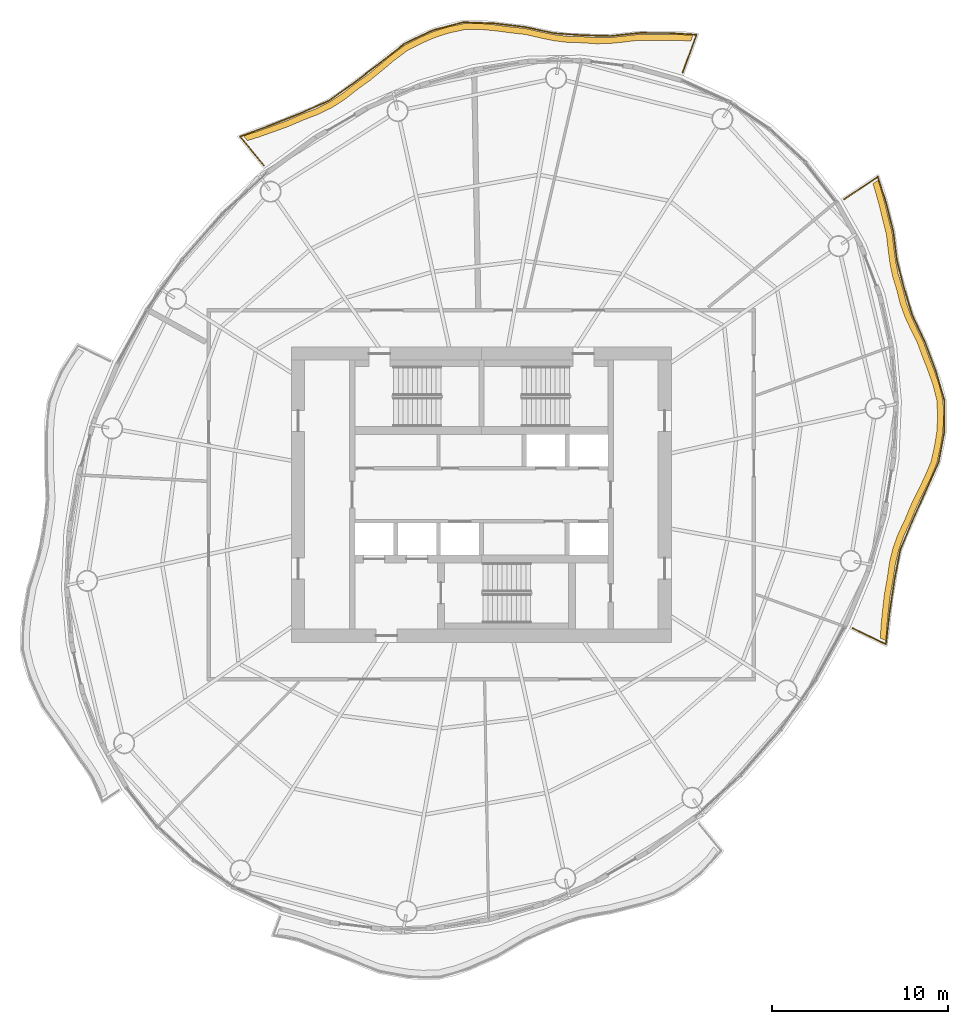
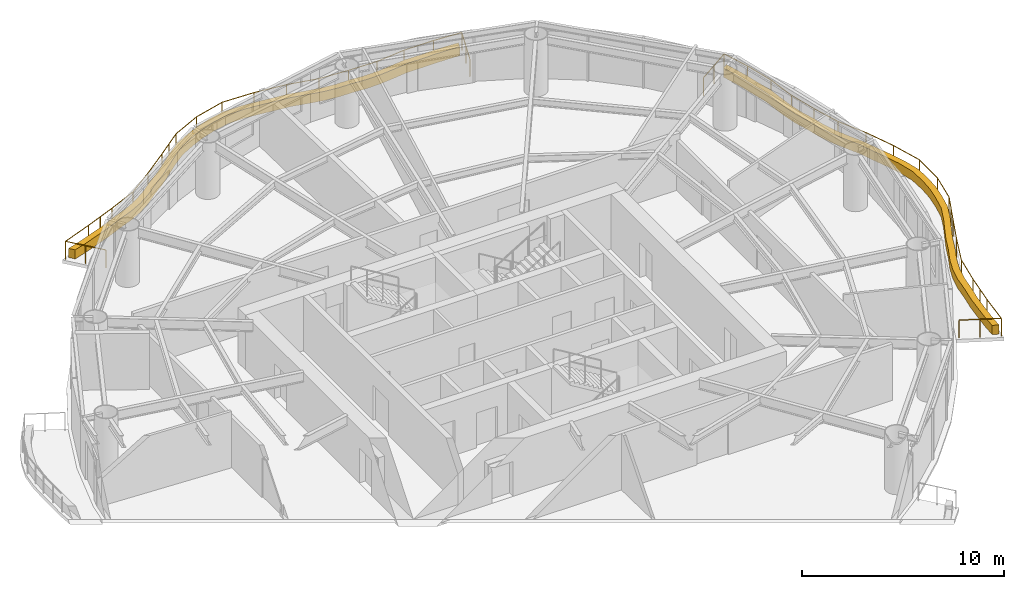
# One storey, part 14 of 14: 2 coverings, 2 railings.
"""IFC4 building model written with IfcOpenShell, lengths in metres."""

import ifcopenshell
import ifcopenshell.guid

model = None  # the IFC model being written
_history = None  # IfcOwnerHistory: only IFC2X3 demands one
_inside = {}  # id of a spatial element -> (the spatial element, [elements in it])
_under = {}  # id of a project, library or spatial element -> (it, [spatial elements below it])
_declared = {}  # id of a project -> (the project, [libraries it declares])
_typed = {}  # id of a type object -> (the type object, [elements of that type])
_made_of = {}  # id of a material, layer set ... -> (it, [elements and type objects made of it])


def new_model(schema):
    """Start an empty IFC model of exactly this schema.

    Asked for "IFC4X3", IfcOpenShell would pick the latest addendum, in which some entities
    have other attributes; the version numbers below select the first issue.
    IFC2X3 requires an IfcOwnerHistory on every rooted entity: one is made here for all.
    """
    global model, _history
    if schema == "IFC4X3":
        model = ifcopenshell.file(schema_version=(4, 3, 0, 0))
    else:
        model = ifcopenshell.file(schema=schema)
    _inside.clear()
    _under.clear()
    _declared.clear()
    _typed.clear()
    _made_of.clear()
    _history = None
    if model.schema == "IFC2X3":
        org = make("IfcOrganization", Name="unknown")
        user = make(
            "IfcPersonAndOrganization",
            ThePerson=make("IfcPerson", FamilyName="unknown"),
            TheOrganization=org,
        )
        app = make(
            "IfcApplication",
            ApplicationDeveloper=org,
            Version="unknown",
            ApplicationFullName="unknown",
            ApplicationIdentifier="unknown",
        )
        _history = make(
            "IfcOwnerHistory",
            OwningUser=user,
            OwningApplication=app,
            ChangeAction="ADDED",
            CreationDate=0,
        )
    return model


def make(cls, **values):
    """One entity of the class cls with the attributes given. An attribute that is None is left unset."""
    return model.create_entity(
        cls, **{name: value for name, value in values.items() if value is not None}
    )


def rooted(cls, **values):
    """An entity with a GlobalId (a new one), such as an element, a storey or a relation."""
    return make(cls, GlobalId=ifcopenshell.guid.new(), OwnerHistory=_history, **values)


def si_unit(unit_type, name, prefix=None):
    """IfcSIUnit, for example si_unit("LENGTHUNIT", "METRE", prefix="MILLI")."""
    return make("IfcSIUnit", UnitType=unit_type, Prefix=prefix, Name=name)


def assignment(units):
    """IfcUnitAssignment: the units of a project."""
    return None if units is None else make("IfcUnitAssignment", Units=units)


def point(xyz):
    """IfcCartesianPoint."""
    return None if xyz is None else make("IfcCartesianPoint", Coordinates=xyz)


def direction(xyz):
    """IfcDirection."""
    return None if xyz is None else make("IfcDirection", DirectionRatios=xyz)


def frame(location, z_axis=None, x_axis=None):
    """IfcAxis2Placement3D, a coordinate frame: its origin and axes. An axis left out is left unset."""
    return make(
        "IfcAxis2Placement3D",
        Location=point(location),
        Axis=direction(z_axis),
        RefDirection=direction(x_axis),
    )


def frame_2d(location, x_axis=None):
    """IfcAxis2Placement2D, a coordinate frame in the plane: its origin and x axis."""
    return make(
        "IfcAxis2Placement2D", Location=point(location), RefDirection=direction(x_axis)
    )


def origin():
    """The frame at (0, 0, 0) with its axes left unset."""
    return frame((0.0, 0.0, 0.0))


def origin_2d():
    """The frame at (0, 0) in the plane with its x axis left unset."""
    return frame_2d((0.0, 0.0))


def place(relative_to, where):
    """IfcLocalPlacement: puts the frame where relative to a parent placement (None: the world)."""
    return make(
        "IfcLocalPlacement", PlacementRelTo=relative_to, RelativePlacement=where
    )


def context(
    kind, dimensions, precision=None, world=None, true_north=None, identifier=None
):
    """IfcGeometricRepresentationContext, for example the 3D "Model" context."""
    return make(
        "IfcGeometricRepresentationContext",
        ContextIdentifier=identifier,
        ContextType=kind,
        CoordinateSpaceDimension=dimensions,
        Precision=precision,
        WorldCoordinateSystem=world,
        TrueNorth=true_north,
    )


def subcontext(parent, identifier, kind, view, scale=None):
    """IfcGeometricRepresentationSubContext, for example "Body" below "Model"."""
    return make(
        "IfcGeometricRepresentationSubContext",
        ContextIdentifier=identifier,
        ContextType=kind,
        ParentContext=parent,
        TargetScale=scale,
        TargetView=view,
    )


def project(units=None, contexts=None):
    """IfcProject with its units and contexts."""
    return rooted(
        "IfcProject",
        Name="project",
        RepresentationContexts=contexts,
        UnitsInContext=assignment(units),
    )


def spatial(cls, under=None, at=None, **own):
    """A site, building, storey or space (cls), placed at a placement, below another one or the project."""
    s = rooted(cls, ObjectPlacement=at, **own)
    if under is not None:
        _under.setdefault(under.id(), (under, []))[1].append(s)
    return s


def polyline(points):
    """IfcPolyline through the points."""
    return make("IfcPolyline", Points=[point(p) for p in points])


def profile(cls, at=None, kind="AREA", **sizes):
    """A parametric profile (cls). Its sizes go by their IFC names, for example OverallWidth=200.0."""
    return make(cls, ProfileType=kind, Position=at, **sizes)


def circle(**sizes):
    """IfcCircleProfileDef."""
    return profile("IfcCircleProfileDef", **sizes)


def outline(outer, holes=None, kind="AREA"):
    """IfcArbitraryClosedProfileDef: a profile drawn as a closed curve; with holes, ...WithVoids."""
    if holes is None:
        return make("IfcArbitraryClosedProfileDef", ProfileType=kind, OuterCurve=outer)
    return make(
        "IfcArbitraryProfileDefWithVoids",
        ProfileType=kind,
        OuterCurve=outer,
        InnerCurves=holes,
    )


def extrude(swept, where, along, depth):
    """IfcExtrudedAreaSolid: the profile swept, set in the frame where, extruded along a direction by depth."""
    return make(
        "IfcExtrudedAreaSolid",
        SweptArea=swept,
        Position=where,
        ExtrudedDirection=direction(along),
        Depth=depth,
    )


def shape(context_of_items, identifier, shape_type, items):
    """IfcShapeRepresentation: the items that make up one representation, for example the "Body"."""
    return make(
        "IfcShapeRepresentation",
        ContextOfItems=context_of_items,
        RepresentationIdentifier=identifier,
        RepresentationType=shape_type,
        Items=items,
    )


def material(Name=None, Category=None):
    """IfcMaterial."""
    return make("IfcMaterial", Name=Name, Category=Category)


def made_of(thing, what):
    """Note that an element or type object is made of a material, layer set ...; save() writes the relation."""
    if what is not None:
        _made_of.setdefault(what.id(), (what, []))[1].append(thing)
    return thing


def type_object(cls, material=None, **own):
    """A type object (cls), such as IfcWallType, which elements share."""
    return made_of(rooted(cls, **own), material)


def element(
    cls,
    number,
    at=None,
    inside=None,
    cuts=None,
    type_object=None,
    material=None,
    context=None,
    identifier="Body",
    shape_type=None,
    held_by="IfcProductDefinitionShape",
    body=None,
    shapes=None,
    **own,
):
    """One element of the class cls, such as IfcWall. Its Tag is "e" and its number.

    at: its placement. inside: the storey or other place that contains it. cuts: it is an
    opening in that element (IfcRelVoidsElement). A single representation is given by context,
    identifier, shape_type and body (its items); several are given by shapes. held_by: the class
    of the entity that holds the representations. save() writes the other relations.
    """
    e = rooted(cls, Tag="e%d" % number, ObjectPlacement=at, **own)
    if body is not None:
        shapes = [shape(context, identifier, shape_type, body)]
    if shapes is not None:
        e.Representation = make(held_by, Representations=shapes)
    if inside is not None:
        _inside.setdefault(inside.id(), (inside, []))[1].append(e)
    if cuts is not None:
        rooted(
            "IfcRelVoidsElement", RelatingBuildingElement=cuts, RelatedOpeningElement=e
        )
    if type_object is not None:
        _typed.setdefault(type_object.id(), (type_object, []))[1].append(e)
    return made_of(e, material)


def aggregate(whole, parts):
    """IfcRelAggregates: a whole, such as a stair, and the parts it consists of."""
    return rooted("IfcRelAggregates", RelatingObject=whole, RelatedObjects=parts)


def save(model, path):
    """Write the relations noted so far, then the file.

    IfcRelAggregates (storeys below a building ...), IfcRelContainedInSpatialStructure (elements
    in a storey), IfcRelDefinesByType, IfcRelAssociatesMaterial and IfcRelDeclares: one each for
    every whole, place, type object, material and project.
    """
    for whole, parts in _under.values():
        aggregate(whole, parts)
    for where, things in _inside.values():
        rooted(
            "IfcRelContainedInSpatialStructure",
            RelatedElements=things,
            RelatingStructure=where,
        )
    for kind, things in _typed.values():
        rooted("IfcRelDefinesByType", RelatedObjects=things, RelatingType=kind)
    for what, things in _made_of.values():
        rooted("IfcRelAssociatesMaterial", RelatedObjects=things, RelatingMaterial=what)
    for by, libraries in _declared.values():
        rooted("IfcRelDeclares", RelatingContext=by, RelatedDefinitions=libraries)
    model.write(path)


model = new_model("IFC4")

# Units and contexts
model_context = context("Model", 3, precision=1e-05, world=origin(), true_north=direction((0.0, 1.0)))
body_context = subcontext(model_context, "Body", "Model", "MODEL_VIEW")
ifc_project = project(units=[si_unit("LENGTHUNIT", "METRE"), si_unit("AREAUNIT", "SQUARE_METRE"), si_unit("VOLUMEUNIT", "CUBIC_METRE"), si_unit("PLANEANGLEUNIT", "RADIAN"), si_unit("MASSUNIT", "GRAM", prefix="KILO")], contexts=[model_context])

# Site, building, storey
site_placement = place(None, origin())
site = spatial("IfcSite", under=ifc_project, at=site_placement, CompositionType="ELEMENT")
building_placement = place(site_placement, origin())
building = spatial("IfcBuilding", under=site, at=building_placement, Name="Vermilion Reach Broadcast Tower", CompositionType="ELEMENT")
storey_placement = place(building_placement, frame((0.0, 0.0, 238.89990234375)))
storey = spatial("IfcBuildingStorey", under=building, at=storey_placement, Name="L59", CompositionType="ELEMENT", Elevation=238.89990234375)

# Coverings
ifc_material_1 = material(Name="Planting soil and greenery")
covering_type = type_object("IfcCoveringType", Name="Balcony PLANTER", PredefinedType="USERDEFINED", material=ifc_material_1)
placement = place(storey_placement, origin())
element("IfcCovering", 1, at=placement, inside=storey, type_object=covering_type, Name="PLANTER L59 group 1", ObjectType="PLANTER", PredefinedType="USERDEFINED", context=body_context, shape_type="SweptSolid", body=[
    extrude(outline(polyline([(6.031982421875, 26.1337890625), (5.39892578125, 26.163330078125), (4.64013671875, 26.1796875), (3.873779296875, 26.169189453125), (2.9921875, 26.185546875), (2.103759765625, 26.084228515625), (1.337646484375, 26.008544921875), (0.578857421875, 25.990478515625), (-0.24560546875, 26.051513671875), (-1.09033203125, 26.06982421875), (-1.861572265625, 26.164306640625), (-2.634033203125, 26.321044921875), (-3.513916015625, 26.519287109375), (-4.4365234375, 26.61865234375), (-5.25244140625, 26.726806640625), (-6.06298828125, 26.80029296875), (-7.015869140625, 26.79345703125), (-7.959228515625, 26.58740234375), (-8.731689453125, 26.34130859375), (-9.480712890625, 26.014892578125), (-10.33642578125, 25.584716796875), (-11.129150390625, 24.994873046875), (-11.793212890625, 24.4375), (-12.461669921875, 23.890625), (-13.213134765625, 23.354736328125), (-13.944091796875, 22.78369140625), (-14.6572265625, 22.3251953125), (-15.417236328125, 21.948974609375), (-16.28173828125, 21.61376953125), (-17.156494140625, 21.2333984375), (-17.99951171875, 20.927978515625), (-18.846435546875, 20.627685546875), (-19.531005859375, 20.409912109375), (-19.30859375, 20.1396484375), (-18.63916015625, 20.345703125), (-17.79248046875, 20.64599609375), (-16.949462890625, 20.951171875), (-16.0908203125, 21.320556640625), (-15.2431640625, 21.645263671875), (-14.48291015625, 22.021728515625), (-13.769775390625, 22.47998046875), (-13.056884765625, 23.04150390625), (-12.32421875, 23.568603515625), (-11.65576171875, 24.11572265625), (-10.99169921875, 24.673095703125), (-10.21875, 25.2548828125), (-9.383544921875, 25.6787109375), (-8.63427734375, 26.005126953125), (-7.862060546875, 26.251220703125), (-6.9404296875, 26.45166015625), (-6.009521484375, 26.454345703125), (-5.198974609375, 26.380859375), (-4.383056640625, 26.272705078125), (-3.484130859375, 26.170654296875), (-2.627685546875, 25.970947265625), (-1.855224609375, 25.814208984375), (-1.083984375, 25.7197265625), (-0.26416015625, 25.701904296875), (0.535400390625, 25.64306640625), (1.294189453125, 25.6611328125), (2.060302734375, 25.73681640625), (2.9228515625, 25.84228515625), (3.779296875, 25.832275390625), (4.545654296875, 25.8427734375), (5.304443359375, 25.826416015625), (5.911865234375, 25.80517578125), (6.031982421875, 26.1337890625)])), origin(), (0.0, 0.0, 1.0), 0.550048828125),
])
element("IfcCovering", 2, at=placement, inside=storey, type_object=covering_type, Name="PLANTER L59 group 4", ObjectType="PLANTER", PredefinedType="USERDEFINED", context=body_context, shape_type="SweptSolid", body=[
    extrude(outline(polyline([(17.003662109375, -8.306884765625), (17.046630859375, -7.58935546875), (17.136962890625, -6.695068359375), (17.23779296875, -5.80517578125), (17.408203125, -4.869873046875), (17.54052734375, -3.955322265625), (17.73974609375, -3.1318359375), (18.02978515625, -2.334228515625), (18.423583984375, -1.49072265625), (18.77490234375, -0.634033203125), (19.152099609375, 0.144287109375), (19.535400390625, 0.92138671875), (19.915283203125, 1.834228515625), (20.121337890625, 2.76953125), (20.2490234375, 3.5751953125), (20.2919921875, 4.38427734375), (20.25634765625, 5.34912109375), (20.027099609375, 6.274658203125), (19.7568359375, 7.044189453125), (19.45556640625, 7.81103515625), (19.142578125, 8.681640625), (18.74755859375, 9.488525390625), (18.42138671875, 10.203857421875), (18.158447265625, 10.933349609375), (17.953369140625, 11.7529296875), (17.71044921875, 12.5439453125), (17.55859375, 13.289306640625), (17.45849609375, 14.054443359375), (17.35009765625, 14.94580078125), (17.125, 15.80126953125), (16.951171875, 16.546875), (16.749755859375, 17.277099609375), (16.562255859375, 17.881591796875), (16.271240234375, 17.68701171875), (16.444580078125, 17.10546875), (16.64599609375, 16.37548828125), (16.81982421875, 15.6298828125), (17.032958984375, 14.79736328125), (17.13134765625, 13.93017578125), (17.2314453125, 13.1650390625), (17.383056640625, 12.419677734375), (17.6181640625, 11.652099609375), (17.81689453125, 10.85693359375), (18.080078125, 10.127197265625), (18.406005859375, 9.411865234375), (18.796630859375, 8.62841796875), (19.10693359375, 7.78125), (19.407958984375, 7.014404296875), (19.678466796875, 6.244873046875), (19.906494140625, 5.341552734375), (19.9423828125, 4.3994140625), (19.8994140625, 3.590087890625), (19.771728515625, 2.78466796875), (19.567138671875, 1.870361328125), (19.190185546875, 0.97900390625), (18.806884765625, 0.20166015625), (18.4296875, -0.576416015625), (18.082275390625, -1.413330078125), (17.693603515625, -2.23681640625), (17.403564453125, -3.034423828125), (17.204345703125, -3.858154296875), (17.077880859375, -4.753662109375), (16.914794921875, -5.670654296875), (16.81396484375, -6.560546875), (16.7236328125, -7.454833984375), (16.688232421875, -8.15478515625), (17.003662109375, -8.306884765625)])), origin(), (0.0, 0.0, 1.0), 0.550048828125),
])

# Railings
ifc_material_2 = material(Name="Stainless steel 316 balustrade", Category="steel")
railing_type = type_object("IfcRailingType", Name="Balcony guard 1100", PredefinedType="BALUSTRADE", material=ifc_material_2)
railing_1_placement = place(storey_placement, frame((5.4453125, 24.007080078125, 0.0)))
element("IfcRailing", 3, at=railing_1_placement, inside=storey, type_object=railing_type, Name="Balcony guard L59 group 1", PredefinedType="BALUSTRADE", context=body_context, shape_type="SweptSolid", body=[
    extrude(circle(Radius=0.02490234375, at=origin_2d()), frame((0.0, 0.0, 1.0751953125), z_axis=(0.343503653501, 0.939151340323, 0.0), x_axis=(-0.939151340323, 0.343503653501, 0.0)), (0.0, 0.0, 1.0), 2.292724609375),
    extrude(circle(Radius=0.02490234375, at=origin_2d()), frame((0.78759765625, 2.1533203125, 1.0751953125), z_axis=(-0.998121367072, 0.061267745143, 0.0), x_axis=(-0.061267745143, -0.998121367072, 0.0)), (0.0, 0.0, 1.0), 1.573974609375),
    extrude(circle(Radius=0.02490234375, at=origin_2d()), frame((-0.783447265625, 2.249755859375, 1.0751953125), z_axis=(-0.999990839031, 0.004280403591, 0.0), x_axis=(-0.004280403591, -0.999990839031, 0.0)), (0.0, 0.0, 1.0), 1.654052734375),
    extrude(circle(Radius=0.02490234375, at=origin_2d()), frame((-2.4375, 2.2568359375, 1.0751953125), z_axis=(-0.994425837672, -0.105438386612, 0.0), x_axis=(0.105438386612, -0.994425837672, 0.0)), (0.0, 0.0, 1.0), 1.66943359375),
    extrude(circle(Radius=0.02490234375, at=origin_2d()), frame((-4.09765625, 2.080810546875, 1.0751953125), z_axis=(-0.999626172419, 0.027340728133, 0.0), x_axis=(-0.027340728133, -0.999626172419, 0.0)), (0.0, 0.0, 1.0), 1.58935546875),
    extrude(circle(Radius=0.02490234375, at=origin_2d()), frame((-5.6865234375, 2.124267578125, 1.0751953125), z_axis=(-0.997590352612, 0.069379307979, 0.0), x_axis=(-0.069379307979, -0.997590352612, 0.0)), (0.0, 0.0, 1.0), 1.625732421875),
    extrude(circle(Radius=0.02490234375, at=origin_2d()), frame((-7.308349609375, 2.237060546875, 1.0751953125), z_axis=(-0.977831908992, 0.209391398479, 0.0), x_axis=(-0.209391398479, -0.977831908992, 0.0)), (0.0, 0.0, 1.0), 1.6953125),
    extrude(circle(Radius=0.02490234375, at=origin_2d()), frame((-8.966064453125, 2.592041015625, 1.0751953125), z_axis=(-0.993042953123, 0.117752678328, 0.0), x_axis=(-0.117752678328, -0.993042953123, 0.0)), (0.0, 0.0, 1.0), 1.756103515625),
    extrude(circle(Radius=0.02490234375, at=origin_2d()), frame((-10.7099609375, 2.798828125, 1.0751953125), z_axis=(-0.99931123858, 0.03710860342, 0.0), x_axis=(-0.03710860342, -0.99931123858, 0.0)), (0.0, 0.0, 1.0), 1.769775390625),
    extrude(circle(Radius=0.02490234375, at=origin_2d()), frame((-12.478515625, 2.864501953125, 1.0751953125), z_axis=(-0.966964262527, -0.254911974996, 0.0), x_axis=(0.254911974996, -0.966964262527, 0.0)), (0.0, 0.0, 1.0), 1.779541015625),
    extrude(circle(Radius=0.02490234375, at=origin_2d()), frame((-14.19921875, 2.410888671875, 1.0751953125), z_axis=(-0.904666245094, -0.426120857254, 0.0), x_axis=(0.426120857254, -0.904666245094, 0.0)), (0.0, 0.0, 1.0), 1.779052734375),
    extrude(circle(Radius=0.02490234375, at=origin_2d()), frame((-15.80859375, 1.65283203125, 1.0751953125), z_axis=(-0.786145133794, -0.618041931112, 0.0), x_axis=(0.618041931112, -0.786145133794, 0.0)), (0.0, 0.0, 1.0), 1.85888671875),
    extrude(circle(Radius=0.02490234375, at=origin_2d()), frame((-17.27001953125, 0.50390625, 1.0751953125), z_axis=(-0.795575721476, -0.605854166775, 0.0), x_axis=(0.605854166775, -0.795575721476, 0.0)), (0.0, 0.0, 1.0), 1.7900390625),
    extrude(circle(Radius=0.02490234375, at=origin_2d()), frame((-18.694091796875, -0.58056640625, 1.0751953125), z_axis=(-0.814456442371, -0.580224700853, 0.0), x_axis=(0.580224700853, -0.814456442371, 0.0)), (0.0, 0.0, 1.0), 1.778076171875),
    extrude(circle(Radius=0.02490234375, at=origin_2d()), frame((-20.142333984375, -1.6123046875, 1.0751953125), z_axis=(-0.91586085423, -0.401495822754, 0.0), x_axis=(0.401495822754, -0.91586085423, 0.0)), (0.0, 0.0, 1.0), 1.778076171875),
    extrude(circle(Radius=0.02490234375, at=origin_2d()), frame((-21.770751953125, -2.326171875, 1.0751953125), z_axis=(-0.928494852909, -0.371345268076, 0.0), x_axis=(0.371345268076, -0.928494852909, 0.0)), (0.0, 0.0, 1.0), 1.85400390625),
    extrude(circle(Radius=0.02490234375, at=origin_2d()), frame((-23.4921875, -3.0146484375, 1.0751953125), z_axis=(-0.936792733281, -0.349884802286, 0.0), x_axis=(0.349884802286, -0.936792733281, 0.0)), (0.0, 0.0, 1.0), 1.793212890625),
    extrude(circle(Radius=0.02490234375, at=origin_2d()), frame((-25.172119140625, -3.64208984375, 1.0751953125), z_axis=(0.635272746934, -0.772287858899, 0.0), x_axis=(0.772287858899, 0.635272746934, 0.0)), (0.0, 0.0, 1.0), 2.12744140625),
    extrude(circle(Radius=0.02490234375, at=origin_2d()), origin(), (0.0, 0.0, 1.0), 1.050048828125),
    extrude(circle(Radius=0.02490234375, at=origin_2d()), frame((0.393798828125, 1.07666015625, 0.0)), (0.0, 0.0, 1.0), 1.050048828125),
    extrude(circle(Radius=0.02490234375, at=origin_2d()), frame((0.78759765625, 2.1533203125, 0.0)), (0.0, 0.0, 1.0), 1.050048828125),
    extrude(circle(Radius=0.02490234375, at=origin_2d()), frame((-0.783447265625, 2.249755859375, 0.0)), (0.0, 0.0, 1.0), 1.050048828125),
    extrude(circle(Radius=0.02490234375, at=origin_2d()), frame((-2.4375, 2.2568359375, 0.0)), (0.0, 0.0, 1.0), 1.050048828125),
    extrude(circle(Radius=0.02490234375, at=origin_2d()), frame((-4.09765625, 2.080810546875, 0.0)), (0.0, 0.0, 1.0), 1.050048828125),
    extrude(circle(Radius=0.02490234375, at=origin_2d()), frame((-5.6865234375, 2.124267578125, 0.0)), (0.0, 0.0, 1.0), 1.050048828125),
    extrude(circle(Radius=0.02490234375, at=origin_2d()), frame((-7.308349609375, 2.237060546875, 0.0)), (0.0, 0.0, 1.0), 1.050048828125),
    extrude(circle(Radius=0.02490234375, at=origin_2d()), frame((-8.966064453125, 2.592041015625, 0.0)), (0.0, 0.0, 1.0), 1.050048828125),
    extrude(circle(Radius=0.02490234375, at=origin_2d()), frame((-10.7099609375, 2.798828125, 0.0)), (0.0, 0.0, 1.0), 1.050048828125),
    extrude(circle(Radius=0.02490234375, at=origin_2d()), frame((-12.478515625, 2.864501953125, 0.0)), (0.0, 0.0, 1.0), 1.050048828125),
    extrude(circle(Radius=0.02490234375, at=origin_2d()), frame((-14.19921875, 2.410888671875, 0.0)), (0.0, 0.0, 1.0), 1.050048828125),
    extrude(circle(Radius=0.02490234375, at=origin_2d()), frame((-15.80859375, 1.65283203125, 0.0)), (0.0, 0.0, 1.0), 1.050048828125),
    extrude(circle(Radius=0.02490234375, at=origin_2d()), frame((-16.539306640625, 1.078369140625, 0.0)), (0.0, 0.0, 1.0), 1.050048828125),
    extrude(circle(Radius=0.02490234375, at=origin_2d()), frame((-17.27001953125, 0.50390625, 0.0)), (0.0, 0.0, 1.0), 1.050048828125),
    extrude(circle(Radius=0.02490234375, at=origin_2d()), frame((-18.694091796875, -0.58056640625, 0.0)), (0.0, 0.0, 1.0), 1.050048828125),
    extrude(circle(Radius=0.02490234375, at=origin_2d()), frame((-20.142333984375, -1.6123046875, 0.0)), (0.0, 0.0, 1.0), 1.050048828125),
    extrude(circle(Radius=0.02490234375, at=origin_2d()), frame((-21.770751953125, -2.326171875, 0.0)), (0.0, 0.0, 1.0), 1.050048828125),
    extrude(circle(Radius=0.02490234375, at=origin_2d()), frame((-22.63134765625, -2.67041015625, 0.0)), (0.0, 0.0, 1.0), 1.050048828125),
    extrude(circle(Radius=0.02490234375, at=origin_2d()), frame((-23.4921875, -3.0146484375, 0.0)), (0.0, 0.0, 1.0), 1.050048828125),
    extrude(circle(Radius=0.02490234375, at=origin_2d()), frame((-25.172119140625, -3.64208984375, 0.0)), (0.0, 0.0, 1.0), 1.050048828125),
    extrude(circle(Radius=0.02490234375, at=origin_2d()), frame((-24.496337890625, -4.463623046875, 0.0)), (0.0, 0.0, 1.0), 1.050048828125),
    extrude(circle(Radius=0.02490234375, at=origin_2d()), frame((-23.820556640625, -5.28515625, 0.0)), (0.0, 0.0, 1.0), 1.050048828125),
])
railing_2_placement = place(storey_placement, frame((15.11767578125, -7.596435546875, 0.0)))
element("IfcRailing", 4, at=railing_2_placement, inside=storey, type_object=railing_type, Name="Balcony guard L59 group 4", PredefinedType="BALUSTRADE", context=body_context, shape_type="SweptSolid", body=[
    extrude(circle(Radius=0.02490234375, at=origin_2d()), frame((0.0, 0.0, 1.0751953125), z_axis=(0.900625494523, -0.434596040726, 0.0), x_axis=(0.434596040726, 0.900625494523, 0.0)), (0.0, 0.0, 1.0), 2.09716796875),
    extrude(circle(Radius=0.02490234375, at=origin_2d()), frame((1.888671875, -0.911376953125, 1.0751953125), z_axis=(0.114060967811, 0.993473751854, 0.0), x_axis=(-0.993473751854, 0.114060967811, 0.0)), (0.0, 0.0, 1.0), 1.793701171875),
    extrude(circle(Radius=0.02490234375, at=origin_2d()), frame((2.09326171875, 0.87060546875, 1.0751953125), z_axis=(0.147443184132, 0.989070527037, 0.0), x_axis=(-0.989070527037, 0.147443184132, 0.0)), (0.0, 0.0, 1.0), 1.849609375),
    extrude(circle(Radius=0.02490234375, at=origin_2d()), frame((2.365966796875, 2.699951171875, 1.0751953125), z_axis=(0.187719183873, 0.98222273849, 0.0), x_axis=(-0.98222273849, 0.187719183873, 0.0)), (0.0, 0.0, 1.0), 1.77392578125),
    extrude(circle(Radius=0.02490234375, at=origin_2d()), frame((2.698974609375, 4.4423828125, 1.0751953125), z_axis=(0.384343045122, 0.923190350722, 0.0), x_axis=(-0.923190350722, 0.384343045122, 0.0)), (0.0, 0.0, 1.0), 1.782470703125),
    extrude(circle(Radius=0.02490234375, at=origin_2d()), frame((3.384033203125, 6.087890625, 1.0751953125), z_axis=(0.406378290981, 0.913704922072, 0.0), x_axis=(-0.913704922072, 0.406378290981, 0.0)), (0.0, 0.0, 1.0), 1.79443359375),
    extrude(circle(Radius=0.02490234375, at=origin_2d()), frame((4.11328125, 7.7275390625, 1.0751953125), z_axis=(0.410921579344, 0.91167069473, 0.0), x_axis=(-0.91167069473, 0.410921579344, 0.0)), (0.0, 0.0, 1.0), 1.859130859375),
    extrude(circle(Radius=0.02490234375, at=origin_2d()), frame((4.877197265625, 9.42236328125, 1.0751953125), z_axis=(0.187894672484, 0.982189183433, 0.0), x_axis=(-0.982189183433, 0.187894672484, 0.0)), (0.0, 0.0, 1.0), 1.777587890625),
    extrude(circle(Radius=0.02490234375, at=origin_2d()), frame((5.211181640625, 11.168212890625, 1.0751953125), z_axis=(0.004254112733, 0.999990951221, 0.0), x_axis=(-0.999990951221, 0.004254112733, 0.0)), (0.0, 0.0, 1.0), 1.779052734375),
    extrude(circle(Radius=0.02490234375, at=origin_2d()), frame((5.21875, 12.947265625, 1.0751953125), z_axis=(-0.282136490055, 0.959374275754, 0.0), x_axis=(-0.959374275754, -0.282136490055, 0.0)), (0.0, 0.0, 1.0), 1.772216796875),
    extrude(circle(Radius=0.02490234375, at=origin_2d()), frame((4.71875, 14.6474609375, 1.0751953125), z_axis=(-0.350467470637, 0.936574904653, 0.0), x_axis=(-0.936574904653, -0.350467470637, 0.0)), (0.0, 0.0, 1.0), 1.754150390625),
    extrude(circle(Radius=0.02490234375, at=origin_2d()), frame((4.10400390625, 16.290283203125, 1.0751953125), z_axis=(-0.427396794582, 0.904064145944, 0.0), x_axis=(-0.904064145944, -0.427396794582, 0.0)), (0.0, 0.0, 1.0), 1.689697265625),
    extrude(circle(Radius=0.02490234375, at=origin_2d()), frame((3.3818359375, 17.81787109375, 1.0751953125), z_axis=(-0.289264558651, 0.957249191751, 0.0), x_axis=(-0.957249191751, -0.289264558651, 0.0)), (0.0, 0.0, 1.0), 1.623779296875),
    extrude(circle(Radius=0.02490234375, at=origin_2d()), frame((2.912109375, 19.372314453125, 1.0751953125), z_axis=(-0.249061589933, 0.968487648047, 0.0), x_axis=(-0.968487648047, -0.249061589933, 0.0)), (0.0, 0.0, 1.0), 1.591796875),
    extrude(circle(Radius=0.02490234375, at=origin_2d()), frame((2.515625, 20.9140625, 1.0751953125), z_axis=(-0.125756284689, 0.992061165887, 0.0), x_axis=(-0.992061165887, -0.125756284689, 0.0)), (0.0, 0.0, 1.0), 1.67529296875),
    extrude(circle(Radius=0.02490234375, at=origin_2d()), frame((2.304931640625, 22.576171875, 1.0751953125), z_axis=(-0.242674382834, 0.970107800152, 0.0), x_axis=(-0.970107800152, -0.242674382834, 0.0)), (0.0, 0.0, 1.0), 1.656005859375),
    extrude(circle(Radius=0.02490234375, at=origin_2d()), frame((1.903076171875, 24.1826171875, 1.0751953125), z_axis=(-0.305491321295, 0.952194860632, 0.0), x_axis=(-0.952194860632, -0.305491321295, 0.0)), (0.0, 0.0, 1.0), 1.572021484375),
    extrude(circle(Radius=0.02490234375, at=origin_2d()), frame((1.4228515625, 25.679443359375, 1.0751953125), z_axis=(-0.831302008886, -0.55582098739, 0.0), x_axis=(0.55582098739, -0.831302008886, 0.0)), (0.0, 0.0, 1.0), 2.311279296875),
    extrude(circle(Radius=0.02490234375, at=origin_2d()), origin(), (0.0, 0.0, 1.0), 1.050048828125),
    extrude(circle(Radius=0.02490234375, at=origin_2d()), frame((0.9443359375, -0.45556640625, 0.0)), (0.0, 0.0, 1.0), 1.050048828125),
    extrude(circle(Radius=0.02490234375, at=origin_2d()), frame((1.888671875, -0.911376953125, 0.0)), (0.0, 0.0, 1.0), 1.050048828125),
    extrude(circle(Radius=0.02490234375, at=origin_2d()), frame((2.09326171875, 0.87060546875, 0.0)), (0.0, 0.0, 1.0), 1.050048828125),
    extrude(circle(Radius=0.02490234375, at=origin_2d()), frame((2.2294921875, 1.78515625, 0.0)), (0.0, 0.0, 1.0), 1.050048828125),
    extrude(circle(Radius=0.02490234375, at=origin_2d()), frame((2.365966796875, 2.699951171875, 0.0)), (0.0, 0.0, 1.0), 1.050048828125),
    extrude(circle(Radius=0.02490234375, at=origin_2d()), frame((2.698974609375, 4.4423828125, 0.0)), (0.0, 0.0, 1.0), 1.050048828125),
    extrude(circle(Radius=0.02490234375, at=origin_2d()), frame((3.384033203125, 6.087890625, 0.0)), (0.0, 0.0, 1.0), 1.050048828125),
    extrude(circle(Radius=0.02490234375, at=origin_2d()), frame((4.11328125, 7.7275390625, 0.0)), (0.0, 0.0, 1.0), 1.050048828125),
    extrude(circle(Radius=0.02490234375, at=origin_2d()), frame((4.4951171875, 8.574951171875, 0.0)), (0.0, 0.0, 1.0), 1.050048828125),
    extrude(circle(Radius=0.02490234375, at=origin_2d()), frame((4.877197265625, 9.42236328125, 0.0)), (0.0, 0.0, 1.0), 1.050048828125),
    extrude(circle(Radius=0.02490234375, at=origin_2d()), frame((5.211181640625, 11.168212890625, 0.0)), (0.0, 0.0, 1.0), 1.050048828125),
    extrude(circle(Radius=0.02490234375, at=origin_2d()), frame((5.21875, 12.947265625, 0.0)), (0.0, 0.0, 1.0), 1.050048828125),
    extrude(circle(Radius=0.02490234375, at=origin_2d()), frame((4.71875, 14.6474609375, 0.0)), (0.0, 0.0, 1.0), 1.050048828125),
    extrude(circle(Radius=0.02490234375, at=origin_2d()), frame((4.10400390625, 16.290283203125, 0.0)), (0.0, 0.0, 1.0), 1.050048828125),
    extrude(circle(Radius=0.02490234375, at=origin_2d()), frame((3.3818359375, 17.81787109375, 0.0)), (0.0, 0.0, 1.0), 1.050048828125),
    extrude(circle(Radius=0.02490234375, at=origin_2d()), frame((2.912109375, 19.372314453125, 0.0)), (0.0, 0.0, 1.0), 1.050048828125),
    extrude(circle(Radius=0.02490234375, at=origin_2d()), frame((2.515625, 20.9140625, 0.0)), (0.0, 0.0, 1.0), 1.050048828125),
    extrude(circle(Radius=0.02490234375, at=origin_2d()), frame((2.304931640625, 22.576171875, 0.0)), (0.0, 0.0, 1.0), 1.050048828125),
    extrude(circle(Radius=0.02490234375, at=origin_2d()), frame((1.903076171875, 24.1826171875, 0.0)), (0.0, 0.0, 1.0), 1.050048828125),
    extrude(circle(Radius=0.02490234375, at=origin_2d()), frame((1.4228515625, 25.679443359375, 0.0)), (0.0, 0.0, 1.0), 1.050048828125),
    extrude(circle(Radius=0.02490234375, at=origin_2d()), frame((0.462158203125, 25.037109375, 0.0)), (0.0, 0.0, 1.0), 1.050048828125),
    extrude(circle(Radius=0.02490234375, at=origin_2d()), frame((-0.49853515625, 24.394775390625, 0.0)), (0.0, 0.0, 1.0), 1.050048828125),
])

save(model, "model.ifc")
